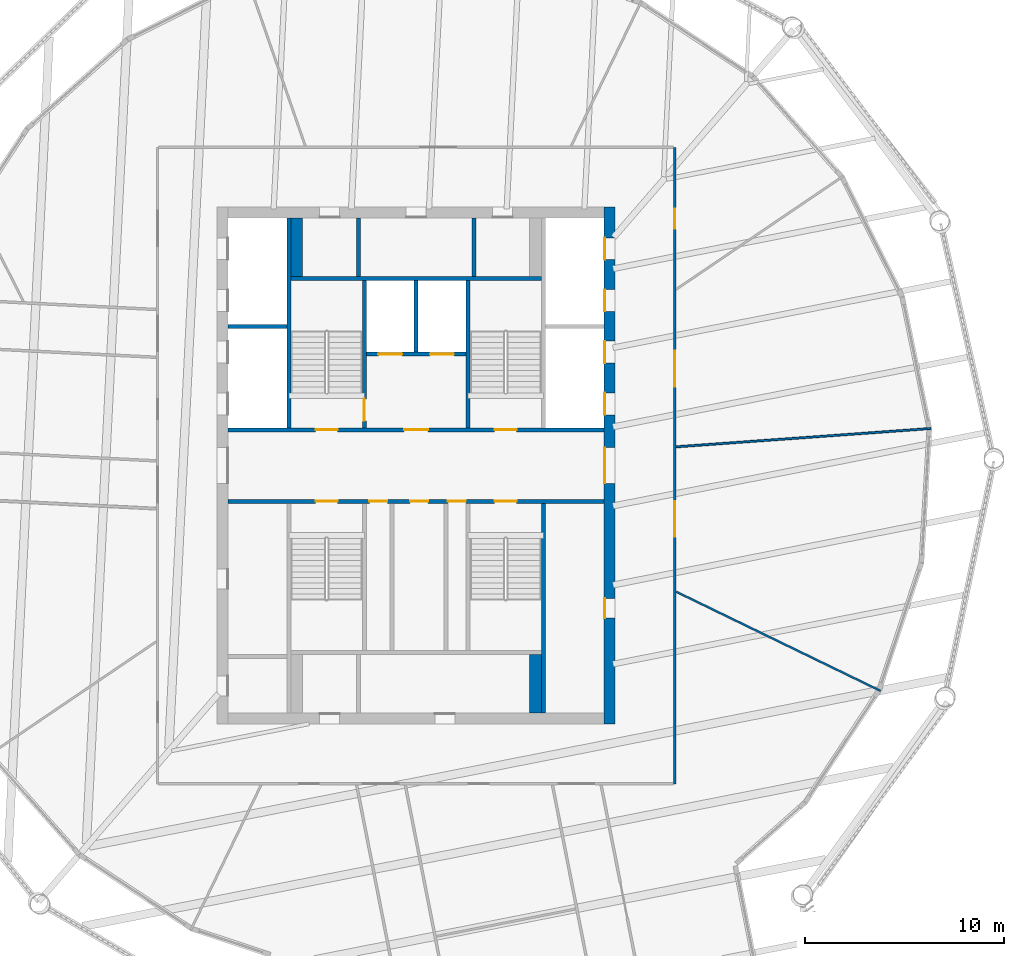
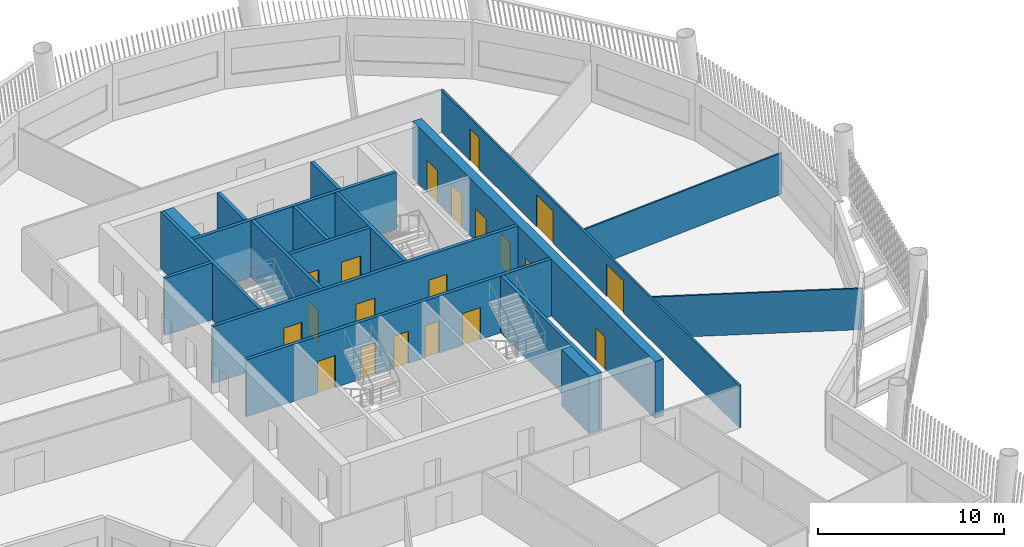
# One storey, part 5 of 14: 20 doors, 18 walls, 20 openings.
"""IFC4 building model written with IfcOpenShell, lengths in metres."""

from ifc_helpers import new_model, si_unit, direction, frame, frame_2d, origin, place, context, subcontext, project, spatial, rectangle, extrude, material, layer, layer_set, type_object, element, fill, save


model = new_model("IFC4")

# Units and contexts
model_context = context("Model", 3, precision=1e-05, world=origin(), true_north=direction((0.0, 1.0)))
body_context = subcontext(model_context, "Body", "Model", "MODEL_VIEW")
ifc_project = project(units=[si_unit("LENGTHUNIT", "METRE"), si_unit("AREAUNIT", "SQUARE_METRE"), si_unit("VOLUMEUNIT", "CUBIC_METRE"), si_unit("PLANEANGLEUNIT", "RADIAN"), si_unit("MASSUNIT", "GRAM", prefix="KILO")], contexts=[model_context])

# Site, building, storey
site_placement = place(None, origin())
site = spatial("IfcSite", under=ifc_project, at=site_placement, CompositionType="ELEMENT")
building_placement = place(site_placement, origin())
building = spatial("IfcBuilding", under=site, at=building_placement, Name="Tarsis Ring Headquarters", CompositionType="ELEMENT")
storey_placement = place(building_placement, frame((0.0, 0.0, 274.699951171875)))
storey = spatial("IfcBuildingStorey", under=building, at=storey_placement, Name="L64", CompositionType="ELEMENT", Elevation=274.699951171875)

# Walls
ifc_material_1 = material(Name="Blockwork", Category="masonry")
ifc_layer_1 = layer(ifc_material_1, 0.199951171875)
ifc_layer_set_1 = layer_set([ifc_layer_1], Name="Core blockwork wall 200")
wall_type_1 = type_object("IfcWallType", Name="Core blockwork wall 200", PredefinedType="PARTITIONING", material=ifc_layer_set_1)
for number, where, z_axis, x_axis, name in (
    (1, (-2.89990234375, 9.5, 0.0), (0.0, 0.0, 1.0), (0.0, 1.0, 0.0), "Core partition ND1"),
    (2, (2.89990234375, 9.5, 0.0), (0.0, 0.0, 1.0), (0.0, 1.0, 0.0), "Core partition ND3"),
):
    element("IfcWall", number, at=place(storey_placement, frame(where, z_axis=z_axis, x_axis=x_axis)), inside=storey, type_object=wall_type_1, Name=name, PredefinedType="PARTITIONING", context=body_context, shape_type="SweptSolid", body=[
        extrude(rectangle(XDim=2.949951171875, YDim=0.199951171875, at=frame_2d((1.47509765625, 0.0))), origin(), (0.0, 0.0, 1.0), 3.739990234375),
    ])

# Wall, openings, doors
ifc_material_2 = material(Name="Concrete C50/60", Category="concrete")
ifc_layer_2 = layer(ifc_material_2, 0.550048828125)
ifc_layer_set_2 = layer_set([ifc_layer_2], Name="Core wall 550 C50/60")
wall_type_2 = type_object("IfcWallType", Name="Core wall 550 C50/60", PredefinedType="SHEAR", material=ifc_layer_set_2)
wall_1_placement = place(storey_placement, frame((9.72509765625, -13.0, 0.0), z_axis=(0.0, 0.0, 1.0), x_axis=(0.0, 1.0, 0.0)))
wall_1 = element("IfcWall", 3, at=wall_1_placement, inside=storey, type_object=wall_type_2, Name="Core wall OE", PredefinedType="SHEAR", context=body_context, shape_type="SweptSolid", body=[
    extrude(rectangle(XDim=26.0, YDim=0.550048828125, at=frame_2d((13.0, 0.0))), origin(), (0.0, 0.0, 1.0), 3.739990234375),
])
opening_1_placement = place(wall_1_placement, frame((5.324951171875, 0.0, 0.0)))
opening_1 = element("IfcOpeningElement", 4, at=opening_1_placement, cuts=wall_1, Name="Opening L64-C08", PredefinedType="OPENING", context=body_context, shape_type="SweptSolid", body=[
    extrude(rectangle(XDim=1.0, YDim=2.10009765625, at=frame_2d((0.5, 1.050048828125))), frame((0.0, 0.284912109375, 0.0), z_axis=(0.0, -1.0, 0.0), x_axis=(1.0, 0.0, 0.0)), (0.0, 0.0, 1.0), 0.570068359375),
])
opening_2_placement = place(wall_1_placement, frame((12.10009765625, 0.0, 0.0)))
opening_2 = element("IfcOpeningElement", 5, at=opening_2_placement, cuts=wall_1, Name="Opening L64-C09", PredefinedType="OPENING", context=body_context, shape_type="SweptSolid", body=[
    extrude(rectangle(XDim=1.800048828125, YDim=2.10009765625, at=frame_2d((0.89990234375, 1.050048828125))), frame((0.0, 0.284912109375, 0.0), z_axis=(0.0, -1.0, 0.0), x_axis=(1.0, 0.0, 0.0)), (0.0, 0.0, 1.0), 0.570068359375),
])
opening_3_placement = place(wall_1_placement, frame((15.550048828125, 0.0, 0.0)))
opening_3 = element("IfcOpeningElement", 6, at=opening_3_placement, cuts=wall_1, Name="Opening LD-HR5", PredefinedType="OPENING", context=body_context, shape_type="SweptSolid", body=[
    extrude(rectangle(XDim=1.10009765625, YDim=2.10009765625, at=frame_2d((0.550048828125, 1.050048828125))), frame((0.0, 0.284912109375, 0.0), z_axis=(0.0, -1.0, 0.0), x_axis=(1.0, 0.0, 0.0)), (0.0, 0.0, 1.0), 0.570068359375),
])
opening_4_placement = place(wall_1_placement, frame((18.14990234375, 0.0, 0.0)))
opening_4 = element("IfcOpeningElement", 7, at=opening_4_placement, cuts=wall_1, Name="Opening LD-HR6", PredefinedType="OPENING", context=body_context, shape_type="SweptSolid", body=[
    extrude(rectangle(XDim=1.10009765625, YDim=2.10009765625, at=frame_2d((0.550048828125, 1.050048828125))), frame((0.0, 0.284912109375, 0.0), z_axis=(0.0, -1.0, 0.0), x_axis=(1.0, 0.0, 0.0)), (0.0, 0.0, 1.0), 0.570068359375),
])
opening_5_placement = place(wall_1_placement, frame((20.75, 0.0, 0.0)))
opening_5 = element("IfcOpeningElement", 8, at=opening_5_placement, cuts=wall_1, Name="Opening LD-HR7", PredefinedType="OPENING", context=body_context, shape_type="SweptSolid", body=[
    extrude(rectangle(XDim=1.10009765625, YDim=2.10009765625, at=frame_2d((0.550048828125, 1.050048828125))), frame((0.0, 0.284912109375, 0.0), z_axis=(0.0, -1.0, 0.0), x_axis=(1.0, 0.0, 0.0)), (0.0, 0.0, 1.0), 0.570068359375),
])
opening_6_placement = place(wall_1_placement, frame((23.35009765625, 0.0, 0.0)))
opening_6 = element("IfcOpeningElement", 9, at=opening_6_placement, cuts=wall_1, Name="Opening LD-HR8", PredefinedType="OPENING", context=body_context, shape_type="SweptSolid", body=[
    extrude(rectangle(XDim=1.10009765625, YDim=2.10009765625, at=frame_2d((0.550048828125, 1.050048828125))), frame((0.0, 0.284912109375, 0.0), z_axis=(0.0, -1.0, 0.0), x_axis=(1.0, 0.0, 0.0)), (0.0, 0.0, 1.0), 0.570068359375),
])
ifc_material_3 = material(Name="Steel S355", Category="steel")
door_type_1 = type_object("IfcDoorType", Name="Core entry door 1800x2100", OperationType="DOUBLE_DOOR_SINGLE_SWING", PredefinedType="DOOR", material=ifc_material_3)
door_1_placement = place(opening_2_placement, origin())
door_1 = element("IfcDoor", 10, at=door_1_placement, inside=storey, type_object=door_type_1, Name="Core entry door L64", OperationType="DOUBLE_DOOR_SINGLE_SWING", OverallHeight=2.10009765625, OverallWidth=1.800048828125, PredefinedType="DOOR", context=body_context, shape_type="SweptSolid", body=[
    extrude(rectangle(XDim=1.800048828125, YDim=2.10009765625, at=frame_2d((0.89990234375, 1.050048828125))), frame((0.0, 0.27490234375, 0.0), z_axis=(0.0, -1.0, 0.0), x_axis=(1.0, 0.0, 0.0)), (0.0, 0.0, 1.0), 0.050048828125),
])
fill(opening_2, door_1)
door_type_2 = type_object("IfcDoorType", Name="Core room door 1000x2100", OperationType="SINGLE_SWING_LEFT", PredefinedType="DOOR", material=ifc_material_3)
door_2_placement = place(opening_1_placement, origin())
door_2 = element("IfcDoor", 11, at=door_2_placement, inside=storey, type_object=door_type_2, Name="Core room door L64", OperationType="SINGLE_SWING_LEFT", OverallHeight=2.10009765625, OverallWidth=1.0, PredefinedType="DOOR", context=body_context, shape_type="SweptSolid", body=[
    extrude(rectangle(XDim=1.0, YDim=2.10009765625, at=frame_2d((0.5, 1.050048828125))), frame((0.0, 0.27490234375, 0.0), z_axis=(0.0, -1.0, 0.0), x_axis=(1.0, 0.0, 0.0)), (0.0, 0.0, 1.0), 0.050048828125),
])
fill(opening_1, door_2)
door_type_3 = type_object("IfcDoorType", Name="Landing door 1100x2100", OperationType="SLIDING_TO_LEFT", PredefinedType="DOOR", material=ifc_material_3)
door_3_placement = place(opening_3_placement, origin())
door_3 = element("IfcDoor", 12, at=door_3_placement, inside=storey, type_object=door_type_3, Name="Landing door HR5 L64", OperationType="SLIDING_TO_LEFT", OverallHeight=2.10009765625, OverallWidth=1.10009765625, PredefinedType="DOOR", context=body_context, shape_type="SweptSolid", body=[
    extrude(rectangle(XDim=1.10009765625, YDim=2.10009765625, at=frame_2d((0.550048828125, 1.050048828125))), frame((0.0, 0.27490234375, 0.0), z_axis=(0.0, -1.0, 0.0), x_axis=(1.0, 0.0, 0.0)), (0.0, 0.0, 1.0), 0.050048828125),
])
fill(opening_3, door_3)
door_4_placement = place(opening_4_placement, origin())
door_4 = element("IfcDoor", 13, at=door_4_placement, inside=storey, type_object=door_type_3, Name="Landing door HR6 L64", OperationType="SLIDING_TO_LEFT", OverallHeight=2.10009765625, OverallWidth=1.10009765625, PredefinedType="DOOR", context=body_context, shape_type="SweptSolid", body=[
    extrude(rectangle(XDim=1.10009765625, YDim=2.10009765625, at=frame_2d((0.550048828125, 1.050048828125))), frame((0.0, 0.27490234375, 0.0), z_axis=(0.0, -1.0, 0.0), x_axis=(1.0, 0.0, 0.0)), (0.0, 0.0, 1.0), 0.050048828125),
])
fill(opening_4, door_4)
door_5_placement = place(opening_5_placement, origin())
door_5 = element("IfcDoor", 14, at=door_5_placement, inside=storey, type_object=door_type_3, Name="Landing door HR7 L64", OperationType="SLIDING_TO_LEFT", OverallHeight=2.10009765625, OverallWidth=1.10009765625, PredefinedType="DOOR", context=body_context, shape_type="SweptSolid", body=[
    extrude(rectangle(XDim=1.10009765625, YDim=2.10009765625, at=frame_2d((0.550048828125, 1.050048828125))), frame((0.0, 0.27490234375, 0.0), z_axis=(0.0, -1.0, 0.0), x_axis=(1.0, 0.0, 0.0)), (0.0, 0.0, 1.0), 0.050048828125),
])
fill(opening_5, door_5)
door_6_placement = place(opening_6_placement, origin())
door_6 = element("IfcDoor", 15, at=door_6_placement, inside=storey, type_object=door_type_3, Name="Landing door HR8 L64", OperationType="SLIDING_TO_LEFT", OverallHeight=2.10009765625, OverallWidth=1.10009765625, PredefinedType="DOOR", context=body_context, shape_type="SweptSolid", body=[
    extrude(rectangle(XDim=1.10009765625, YDim=2.10009765625, at=frame_2d((0.550048828125, 1.050048828125))), frame((0.0, 0.27490234375, 0.0), z_axis=(0.0, -1.0, 0.0), x_axis=(1.0, 0.0, 0.0)), (0.0, 0.0, 1.0), 0.050048828125),
])
fill(opening_6, door_6)

# Walls
ifc_material_4 = material(Name="Gypsum board on steel studs", Category="steel")
ifc_layer_3 = layer(ifc_material_4, 0.10009765625)
ifc_layer_set_3 = layer_set([ifc_layer_3], Name="FL partition 100 unrated")
wall_type_3 = type_object("IfcWallType", Name="FL partition 100 unrated", PredefinedType="PARTITIONING", material=ifc_layer_set_3)
wall_2_placement = place(storey_placement, frame((13.06982421875, 0.94140625, 0.0), z_axis=(0.0, 0.0, 1.0), x_axis=(0.997415484994, 0.071849497528, 0.0)))
element("IfcWall", 16, at=wall_2_placement, inside=storey, type_object=wall_type_3, Name="Partition PW3", PredefinedType="PARTITIONING", context=body_context, shape_type="SweptSolid", body=[
    extrude(rectangle(XDim=12.84423828125, YDim=0.10009765625, at=frame_2d((6.422119140625, 0.0))), origin(), (0.0, 0.0, 1.0), 2.699951171875),
])
wall_3_placement = place(storey_placement, frame((13.072021484375, -6.341796875, 0.0), z_axis=(0.0, 0.0, 1.0), x_axis=(0.89970852754, -0.436491197474, 0.0)))
element("IfcWall", 17, at=wall_3_placement, inside=storey, type_object=wall_type_3, Name="Partition PW3", PredefinedType="PARTITIONING", context=body_context, shape_type="SweptSolid", body=[
    extrude(rectangle(XDim=11.418701171875, YDim=0.10009765625, at=frame_2d((5.70947265625, 0.0))), origin(), (0.0, 0.0, 1.0), 2.699951171875),
])

# Wall, openings, doors
ifc_layer_4 = layer(ifc_material_4, 0.125)
ifc_layer_set_4 = layer_set([ifc_layer_4], Name="FL partition 125 EI 60 H2770")
wall_type_4 = type_object("IfcWallType", Name="FL partition 125 EI 60 H2770", PredefinedType="PARTITIONING", material=ifc_layer_set_4)
wall_4_placement = place(storey_placement, frame((13.0, -16.0, 0.0), z_axis=(0.0, 0.0, 1.0), x_axis=(0.0, 1.0, 0.0)))
wall_4 = element("IfcWall", 18, at=wall_4_placement, inside=storey, type_object=wall_type_4, Name="Partition PW1", PredefinedType="PARTITIONING", context=body_context, shape_type="SweptSolid", body=[
    extrude(rectangle(XDim=32.0, YDim=0.125, at=frame_2d((16.0, 0.0))), origin(), (0.0, 0.0, 1.0), 2.77001953125),
])
opening_7_placement = place(wall_4_placement, frame((27.904052734375, 0.0, 0.0)))
opening_7 = element("IfcOpeningElement", 19, at=opening_7_placement, cuts=wall_4, Name="Opening D64.05", PredefinedType="OPENING", context=body_context, shape_type="SweptSolid", body=[
    extrude(rectangle(XDim=1.0, YDim=2.10009765625, at=frame_2d((0.5, 1.050048828125))), frame((0.0, 0.072509765625, 0.0), z_axis=(0.0, -1.0, 0.0), x_axis=(1.0, 0.0, 0.0)), (0.0, 0.0, 1.0), 0.14501953125),
])
opening_8_placement = place(wall_4_placement, frame((19.972412109375, 0.0, 0.0)))
opening_8 = element("IfcOpeningElement", 20, at=opening_8_placement, cuts=wall_4, Name="Opening D64.06", PredefinedType="OPENING", context=body_context, shape_type="SweptSolid", body=[
    extrude(rectangle(XDim=1.800048828125, YDim=2.10009765625, at=frame_2d((0.89990234375, 1.050048828125))), frame((0.0, 0.072509765625, 0.0), z_axis=(0.0, -1.0, 0.0), x_axis=(1.0, 0.0, 0.0)), (0.0, 0.0, 1.0), 0.14501953125),
])
opening_9_placement = place(wall_4_placement, frame((12.414794921875, 0.0, 0.0)))
opening_9 = element("IfcOpeningElement", 21, at=opening_9_placement, cuts=wall_4, Name="Opening D64.07", PredefinedType="OPENING", context=body_context, shape_type="SweptSolid", body=[
    extrude(rectangle(XDim=1.800048828125, YDim=2.10009765625, at=frame_2d((0.89990234375, 1.050048828125))), frame((0.0, 0.072509765625, 0.0), z_axis=(0.0, -1.0, 0.0), x_axis=(1.0, 0.0, 0.0)), (0.0, 0.0, 1.0), 0.14501953125),
])
ifc_material_5 = material(Name="Fire-rated timber door leaf in steel frame", Category="steel")
door_type_4 = type_object("IfcDoorType", Name="FL door FD60-1000", OperationType="NOTDEFINED", PredefinedType="DOOR", material=ifc_material_5)
door_7_placement = place(opening_7_placement, origin())
door_7 = element("IfcDoor", 22, at=door_7_placement, inside=storey, type_object=door_type_4, Name="Door D64.05", OperationType="SINGLE_SWING_LEFT", OverallHeight=2.10009765625, OverallWidth=1.0, PredefinedType="DOOR", context=body_context, shape_type="SweptSolid", body=[
    extrude(rectangle(XDim=1.0, YDim=2.10009765625, at=frame_2d((0.5, 1.050048828125))), frame((0.0, 0.02490234375, 0.0), z_axis=(0.0, -1.0, 0.0), x_axis=(1.0, 0.0, 0.0)), (0.0, 0.0, 1.0), 0.050048828125),
])
fill(opening_7, door_7)
door_type_5 = type_object("IfcDoorType", Name="FL door FD60-1800", OperationType="DOUBLE_DOOR_SINGLE_SWING", PredefinedType="DOOR", material=ifc_material_5)
door_8_placement = place(opening_8_placement, origin())
door_8 = element("IfcDoor", 23, at=door_8_placement, inside=storey, type_object=door_type_5, Name="Door D64.06", OperationType="DOUBLE_DOOR_SINGLE_SWING", OverallHeight=2.10009765625, OverallWidth=1.800048828125, PredefinedType="DOOR", context=body_context, shape_type="SweptSolid", body=[
    extrude(rectangle(XDim=1.800048828125, YDim=2.10009765625, at=frame_2d((0.89990234375, 1.050048828125))), frame((0.0, 0.02490234375, 0.0), z_axis=(0.0, -1.0, 0.0), x_axis=(1.0, 0.0, 0.0)), (0.0, 0.0, 1.0), 0.050048828125),
])
fill(opening_8, door_8)
door_9_placement = place(opening_9_placement, origin())
door_9 = element("IfcDoor", 24, at=door_9_placement, inside=storey, type_object=door_type_5, Name="Door D64.07", OperationType="DOUBLE_DOOR_SINGLE_SWING", OverallHeight=2.10009765625, OverallWidth=1.800048828125, PredefinedType="DOOR", context=body_context, shape_type="SweptSolid", body=[
    extrude(rectangle(XDim=1.800048828125, YDim=2.10009765625, at=frame_2d((0.89990234375, 1.050048828125))), frame((0.0, 0.02490234375, 0.0), z_axis=(0.0, -1.0, 0.0), x_axis=(1.0, 0.0, 0.0)), (0.0, 0.0, 1.0), 0.050048828125),
])
fill(opening_9, door_9)

# Walls
ifc_material_6 = material(Name="Concrete C32/40", Category="concrete")
ifc_layer_5 = layer(ifc_material_6, 0.60009765625)
ifc_layer_set_5 = layer_set([ifc_layer_5], Name="Shaft end wall 600 C32/40")
wall_type_5 = type_object("IfcWallType", Name="Shaft end wall 600 C32/40", PredefinedType="SOLIDWALL", material=ifc_layer_set_5)
for number, where, z_axis, x_axis, name in (
    (25, (-6.0, 9.5, 0.0), (0.0, 0.0, 1.0), (0.0, 1.0, 0.0), "Core shaft wall NNE1"),
    (26, (6.0, -12.449951171875, 0.0), (0.0, 0.0, 1.0), (0.0, 1.0, 0.0), "Core shaft wall SNE2"),
):
    element("IfcWall", number, at=place(storey_placement, frame(where, z_axis=z_axis, x_axis=x_axis)), inside=storey, type_object=wall_type_5, Name=name, PredefinedType="SOLIDWALL", context=body_context, shape_type="SweptSolid", body=[
        extrude(rectangle(XDim=2.949951171875, YDim=0.60009765625, at=frame_2d((1.47509765625, 0.0))), origin(), (0.0, 0.0, 1.0), 3.739990234375),
    ])

# Wall, openings, doors
ifc_layer_6 = layer(ifc_material_6, 0.199951171875)
ifc_layer_set_6 = layer_set([ifc_layer_6], Name="Shaft wall 200 C32/40")
wall_type_6 = type_object("IfcWallType", Name="Shaft wall 200 C32/40", PredefinedType="SOLIDWALL", material=ifc_layer_set_6)
wall_5_placement = place(storey_placement, frame((-9.449951171875, 1.800048828125, 0.0), z_axis=(0.0, 0.0, 1.0), x_axis=(1.0, 0.0, 0.0)))
wall_5 = element("IfcWall", 27, at=wall_5_placement, inside=storey, type_object=wall_type_6, Name="Core shaft wall CN", PredefinedType="SOLIDWALL", context=body_context, shape_type="SweptSolid", body=[
    extrude(rectangle(XDim=18.89990234375, YDim=0.199951171875, at=frame_2d((9.449951171875, 0.0))), origin(), (0.0, 0.0, 1.0), 3.739990234375),
])
opening_10_placement = place(wall_5_placement, frame((4.39990234375, 0.0, 0.0)))
opening_10 = element("IfcOpeningElement", 28, at=opening_10_placement, cuts=wall_5, Name="Opening L64-C19", PredefinedType="OPENING", context=body_context, shape_type="SweptSolid", body=[
    extrude(rectangle(XDim=1.10009765625, YDim=2.10009765625, at=frame_2d((0.550048828125, 1.050048828125))), frame((0.0, 0.10986328125, 0.0), z_axis=(0.0, -1.0, 0.0), x_axis=(1.0, 0.0, 0.0)), (0.0, 0.0, 1.0), 0.219970703125),
])
opening_11_placement = place(wall_5_placement, frame((8.85009765625, 0.0, 0.0)))
opening_11 = element("IfcOpeningElement", 29, at=opening_11_placement, cuts=wall_5, Name="Opening L64-C20", PredefinedType="OPENING", context=body_context, shape_type="SweptSolid", body=[
    extrude(rectangle(XDim=1.199951171875, YDim=2.10009765625, at=frame_2d((0.60009765625, 1.050048828125))), frame((0.0, 0.10986328125, 0.0), z_axis=(0.0, -1.0, 0.0), x_axis=(1.0, 0.0, 0.0)), (0.0, 0.0, 1.0), 0.219970703125),
])
opening_12_placement = place(wall_5_placement, frame((13.39990234375, 0.0, 0.0)))
opening_12 = element("IfcOpeningElement", 30, at=opening_12_placement, cuts=wall_5, Name="Opening L64-C21", PredefinedType="OPENING", context=body_context, shape_type="SweptSolid", body=[
    extrude(rectangle(XDim=1.10009765625, YDim=2.10009765625, at=frame_2d((0.550048828125, 1.050048828125))), frame((0.0, 0.10986328125, 0.0), z_axis=(0.0, -1.0, 0.0), x_axis=(1.0, 0.0, 0.0)), (0.0, 0.0, 1.0), 0.219970703125),
])
door_type_6 = type_object("IfcDoorType", Name="Firefighting lobby door 1200x2100", OperationType="DOUBLE_DOOR_SINGLE_SWING", PredefinedType="DOOR", material=ifc_material_3)
door_10_placement = place(opening_11_placement, origin())
door_10 = element("IfcDoor", 31, at=door_10_placement, inside=storey, type_object=door_type_6, Name="Firefighting lobby door L64", OperationType="DOUBLE_DOOR_SINGLE_SWING", OverallHeight=2.10009765625, OverallWidth=1.199951171875, PredefinedType="DOOR", context=body_context, shape_type="SweptSolid", body=[
    extrude(rectangle(XDim=1.199951171875, YDim=2.10009765625, at=frame_2d((0.60009765625, 1.050048828125))), frame((0.0, 0.02490234375, 0.0), z_axis=(0.0, -1.0, 0.0), x_axis=(1.0, 0.0, 0.0)), (0.0, 0.0, 1.0), 0.050048828125),
])
fill(opening_11, door_10)
door_type_7 = type_object("IfcDoorType", Name="Stair door 1100x2100", OperationType="SINGLE_SWING_LEFT", PredefinedType="DOOR", material=ifc_material_3)
door_11_placement = place(opening_10_placement, origin())
door_11 = element("IfcDoor", 32, at=door_11_placement, inside=storey, type_object=door_type_7, Name="Stair door L64", OperationType="SINGLE_SWING_LEFT", OverallHeight=2.10009765625, OverallWidth=1.10009765625, PredefinedType="DOOR", context=body_context, shape_type="SweptSolid", body=[
    extrude(rectangle(XDim=1.10009765625, YDim=2.10009765625, at=frame_2d((0.550048828125, 1.050048828125))), frame((0.0, 0.02490234375, 0.0), z_axis=(0.0, -1.0, 0.0), x_axis=(1.0, 0.0, 0.0)), (0.0, 0.0, 1.0), 0.050048828125),
])
fill(opening_10, door_11)
door_12_placement = place(opening_12_placement, origin())
door_12 = element("IfcDoor", 33, at=door_12_placement, inside=storey, type_object=door_type_7, Name="Stair door L64", OperationType="SINGLE_SWING_LEFT", OverallHeight=2.10009765625, OverallWidth=1.10009765625, PredefinedType="DOOR", context=body_context, shape_type="SweptSolid", body=[
    extrude(rectangle(XDim=1.10009765625, YDim=2.10009765625, at=frame_2d((0.550048828125, 1.050048828125))), frame((0.0, 0.02490234375, 0.0), z_axis=(0.0, -1.0, 0.0), x_axis=(1.0, 0.0, 0.0)), (0.0, 0.0, 1.0), 0.050048828125),
])
fill(opening_12, door_12)

wall_6_placement = place(storey_placement, frame((-9.449951171875, -1.800048828125, 0.0), z_axis=(0.0, 0.0, 1.0), x_axis=(1.0, 0.0, 0.0)))
wall_6 = element("IfcWall", 34, at=wall_6_placement, inside=storey, type_object=wall_type_6, Name="Core shaft wall CS", PredefinedType="SOLIDWALL", context=body_context, shape_type="SweptSolid", body=[
    extrude(rectangle(XDim=18.89990234375, YDim=0.199951171875, at=frame_2d((9.449951171875, 0.0))), origin(), (0.0, 0.0, 1.0), 3.739990234375),
])
opening_13_placement = place(wall_6_placement, frame((4.39990234375, 0.0, 0.0)))
opening_13 = element("IfcOpeningElement", 35, at=opening_13_placement, cuts=wall_6, Name="Opening L64-C22", PredefinedType="OPENING", context=body_context, shape_type="SweptSolid", body=[
    extrude(rectangle(XDim=1.10009765625, YDim=2.10009765625, at=frame_2d((0.550048828125, 1.050048828125))), frame((0.0, 0.10986328125, 0.0), z_axis=(0.0, -1.0, 0.0), x_axis=(1.0, 0.0, 0.0)), (0.0, 0.0, 1.0), 0.219970703125),
])
opening_14_placement = place(wall_6_placement, frame((7.10009765625, 0.0, 0.0)))
opening_14 = element("IfcOpeningElement", 36, at=opening_14_placement, cuts=wall_6, Name="Opening L64-C23", PredefinedType="OPENING", context=body_context, shape_type="SweptSolid", body=[
    extrude(rectangle(XDim=0.89990234375, YDim=2.10009765625, at=frame_2d((0.449951171875, 1.050048828125))), frame((0.0, 0.10986328125, 0.0), z_axis=(0.0, -1.0, 0.0), x_axis=(1.0, 0.0, 0.0)), (0.0, 0.0, 1.0), 0.219970703125),
])
opening_15_placement = place(wall_6_placement, frame((9.14990234375, 0.0, 0.0)))
opening_15 = element("IfcOpeningElement", 37, at=opening_15_placement, cuts=wall_6, Name="Opening L64-C24", PredefinedType="OPENING", context=body_context, shape_type="SweptSolid", body=[
    extrude(rectangle(XDim=0.89990234375, YDim=2.10009765625, at=frame_2d((0.449951171875, 1.050048828125))), frame((0.0, 0.10986328125, 0.0), z_axis=(0.0, -1.0, 0.0), x_axis=(1.0, 0.0, 0.0)), (0.0, 0.0, 1.0), 0.219970703125),
])
opening_16_placement = place(wall_6_placement, frame((11.050048828125, 0.0, 0.0)))
opening_16 = element("IfcOpeningElement", 38, at=opening_16_placement, cuts=wall_6, Name="Opening L64-C25", PredefinedType="OPENING", context=body_context, shape_type="SweptSolid", body=[
    extrude(rectangle(XDim=0.89990234375, YDim=2.10009765625, at=frame_2d((0.449951171875, 1.050048828125))), frame((0.0, 0.10986328125, 0.0), z_axis=(0.0, -1.0, 0.0), x_axis=(1.0, 0.0, 0.0)), (0.0, 0.0, 1.0), 0.219970703125),
])
opening_17_placement = place(wall_6_placement, frame((13.39990234375, 0.0, 0.0)))
opening_17 = element("IfcOpeningElement", 39, at=opening_17_placement, cuts=wall_6, Name="Opening L64-C26", PredefinedType="OPENING", context=body_context, shape_type="SweptSolid", body=[
    extrude(rectangle(XDim=1.10009765625, YDim=2.10009765625, at=frame_2d((0.550048828125, 1.050048828125))), frame((0.0, 0.10986328125, 0.0), z_axis=(0.0, -1.0, 0.0), x_axis=(1.0, 0.0, 0.0)), (0.0, 0.0, 1.0), 0.219970703125),
])
door_13_placement = place(opening_13_placement, origin())
door_13 = element("IfcDoor", 40, at=door_13_placement, inside=storey, type_object=door_type_7, Name="Stair door L64", OperationType="SINGLE_SWING_LEFT", OverallHeight=2.10009765625, OverallWidth=1.10009765625, PredefinedType="DOOR", context=body_context, shape_type="SweptSolid", body=[
    extrude(rectangle(XDim=1.10009765625, YDim=2.10009765625, at=frame_2d((0.550048828125, 1.050048828125))), frame((0.0, 0.02490234375, 0.0), z_axis=(0.0, -1.0, 0.0), x_axis=(1.0, 0.0, 0.0)), (0.0, 0.0, 1.0), 0.050048828125),
])
fill(opening_13, door_13)
door_14_placement = place(opening_17_placement, origin())
door_14 = element("IfcDoor", 41, at=door_14_placement, inside=storey, type_object=door_type_7, Name="Stair door L64", OperationType="SINGLE_SWING_LEFT", OverallHeight=2.10009765625, OverallWidth=1.10009765625, PredefinedType="DOOR", context=body_context, shape_type="SweptSolid", body=[
    extrude(rectangle(XDim=1.10009765625, YDim=2.10009765625, at=frame_2d((0.550048828125, 1.050048828125))), frame((0.0, 0.02490234375, 0.0), z_axis=(0.0, -1.0, 0.0), x_axis=(1.0, 0.0, 0.0)), (0.0, 0.0, 1.0), 0.050048828125),
])
fill(opening_17, door_14)
door_type_8 = type_object("IfcDoorType", Name="WC door 900x2100", OperationType="SINGLE_SWING_LEFT", PredefinedType="DOOR", material=ifc_material_3)
door_15_placement = place(opening_14_placement, origin())
door_15 = element("IfcDoor", 42, at=door_15_placement, inside=storey, type_object=door_type_8, Name="WC door L64", OperationType="SINGLE_SWING_LEFT", OverallHeight=2.10009765625, OverallWidth=0.89990234375, PredefinedType="DOOR", context=body_context, shape_type="SweptSolid", body=[
    extrude(rectangle(XDim=0.89990234375, YDim=2.10009765625, at=frame_2d((0.449951171875, 1.050048828125))), frame((0.0, 0.02490234375, 0.0), z_axis=(0.0, -1.0, 0.0), x_axis=(1.0, 0.0, 0.0)), (0.0, 0.0, 1.0), 0.050048828125),
])
fill(opening_14, door_15)
door_16_placement = place(opening_15_placement, origin())
door_16 = element("IfcDoor", 43, at=door_16_placement, inside=storey, type_object=door_type_8, Name="WC door L64", OperationType="SINGLE_SWING_LEFT", OverallHeight=2.10009765625, OverallWidth=0.89990234375, PredefinedType="DOOR", context=body_context, shape_type="SweptSolid", body=[
    extrude(rectangle(XDim=0.89990234375, YDim=2.10009765625, at=frame_2d((0.449951171875, 1.050048828125))), frame((0.0, 0.02490234375, 0.0), z_axis=(0.0, -1.0, 0.0), x_axis=(1.0, 0.0, 0.0)), (0.0, 0.0, 1.0), 0.050048828125),
])
fill(opening_15, door_16)
door_17_placement = place(opening_16_placement, origin())
door_17 = element("IfcDoor", 44, at=door_17_placement, inside=storey, type_object=door_type_8, Name="WC door L64", OperationType="SINGLE_SWING_LEFT", OverallHeight=2.10009765625, OverallWidth=0.89990234375, PredefinedType="DOOR", context=body_context, shape_type="SweptSolid", body=[
    extrude(rectangle(XDim=0.89990234375, YDim=2.10009765625, at=frame_2d((0.449951171875, 1.050048828125))), frame((0.0, 0.02490234375, 0.0), z_axis=(0.0, -1.0, 0.0), x_axis=(1.0, 0.0, 0.0)), (0.0, 0.0, 1.0), 0.050048828125),
])
fill(opening_16, door_17)

# Walls
for number, where, z_axis, x_axis, name in (
    (45, (-6.39990234375, 1.89990234375, 0.0), (0.0, 0.0, 1.0), (0.0, 1.0, 0.0), "Core shaft wall WB2"),
    (46, (6.39990234375, -12.449951171875, 0.0), (0.0, 0.0, 1.0), (0.0, 1.0, 0.0), "Core shaft wall EB1"),
):
    element("IfcWall", number, at=place(storey_placement, frame(where, z_axis=z_axis, x_axis=x_axis)), inside=storey, type_object=wall_type_6, Name=name, PredefinedType="SOLIDWALL", context=body_context, shape_type="SweptSolid", body=[
        extrude(rectangle(XDim=10.550048828125, YDim=0.199951171875, at=frame_2d((5.27490234375, 0.0))), origin(), (0.0, 0.0, 1.0), 3.739990234375),
    ])
wall_7_placement = place(storey_placement, frame((-6.300048828125, 9.39990234375, 0.0), z_axis=(0.0, 0.0, 1.0), x_axis=(1.0, 0.0, 0.0)))
element("IfcWall", 47, at=wall_7_placement, inside=storey, type_object=wall_type_6, Name="Core shaft wall NB", PredefinedType="SOLIDWALL", context=body_context, shape_type="SweptSolid", body=[
    extrude(rectangle(XDim=12.60009765625, YDim=0.199951171875, at=frame_2d((6.300048828125, 0.0))), origin(), (0.0, 0.0, 1.0), 3.739990234375),
])

# Wall, opening, door
wall_8_placement = place(storey_placement, frame((-2.60009765625, 1.89990234375, 0.0), z_axis=(0.0, 0.0, 1.0), x_axis=(0.0, 1.0, 0.0)))
wall_8 = element("IfcWall", 48, at=wall_8_placement, inside=storey, type_object=wall_type_6, Name="Core shaft wall SW1", PredefinedType="SOLIDWALL", context=body_context, shape_type="SweptSolid", body=[
    extrude(rectangle(XDim=7.400146484375, YDim=0.199951171875, at=frame_2d((3.7001953125, 0.0))), origin(), (0.0, 0.0, 1.0), 3.739990234375),
])
opening_18_placement = place(wall_8_placement, frame((0.35009765625, 0.0, 0.0)))
opening_18 = element("IfcOpeningElement", 49, at=opening_18_placement, cuts=wall_8, Name="Opening L64-C27", PredefinedType="OPENING", context=body_context, shape_type="SweptSolid", body=[
    extrude(rectangle(XDim=1.10009765625, YDim=2.10009765625, at=frame_2d((0.550048828125, 1.050048828125))), frame((0.0, 0.10986328125, 0.0), z_axis=(0.0, -1.0, 0.0), x_axis=(1.0, 0.0, 0.0)), (0.0, 0.0, 1.0), 0.219970703125),
])
door_18_placement = place(opening_18_placement, origin())
door_18 = element("IfcDoor", 50, at=door_18_placement, inside=storey, type_object=door_type_7, Name="Stair door L64", OperationType="SINGLE_SWING_LEFT", OverallHeight=2.10009765625, OverallWidth=1.10009765625, PredefinedType="DOOR", context=body_context, shape_type="SweptSolid", body=[
    extrude(rectangle(XDim=1.10009765625, YDim=2.10009765625, at=frame_2d((0.550048828125, 1.050048828125))), frame((0.0, 0.02490234375, 0.0), z_axis=(0.0, -1.0, 0.0), x_axis=(1.0, 0.0, 0.0)), (0.0, 0.0, 1.0), 0.050048828125),
])
fill(opening_18, door_18)

# Wall
wall_9_placement = place(storey_placement, frame((2.60009765625, 1.89990234375, 0.0), z_axis=(0.0, 0.0, 1.0), x_axis=(0.0, 1.0, 0.0)))
element("IfcWall", 51, at=wall_9_placement, inside=storey, type_object=wall_type_6, Name="Core shaft wall SW2", PredefinedType="SOLIDWALL", context=body_context, shape_type="SweptSolid", body=[
    extrude(rectangle(XDim=7.400146484375, YDim=0.199951171875, at=frame_2d((3.7001953125, 0.0))), origin(), (0.0, 0.0, 1.0), 3.739990234375),
])

# Wall, openings, doors
wall_10_placement = place(storey_placement, frame((-2.5, 5.60009765625, 0.0), z_axis=(0.0, 0.0, 1.0), x_axis=(1.0, 0.0, 0.0)))
wall_10 = element("IfcWall", 52, at=wall_10_placement, inside=storey, type_object=wall_type_6, Name="Core shaft wall FFN", PredefinedType="SOLIDWALL", context=body_context, shape_type="SweptSolid", body=[
    extrude(rectangle(XDim=5.0, YDim=0.199951171875, at=frame_2d((2.5, 0.0))), origin(), (0.0, 0.0, 1.0), 3.739990234375),
])
opening_19_placement = place(wall_10_placement, frame((0.60009765625, 0.0, 0.0)))
opening_19 = element("IfcOpeningElement", 53, at=opening_19_placement, cuts=wall_10, Name="Opening LDF-1", PredefinedType="OPENING", context=body_context, shape_type="SweptSolid", body=[
    extrude(rectangle(XDim=1.199951171875, YDim=2.10009765625, at=frame_2d((0.60009765625, 1.050048828125))), frame((0.0, 0.10986328125, 0.0), z_axis=(0.0, -1.0, 0.0), x_axis=(1.0, 0.0, 0.0)), (0.0, 0.0, 1.0), 0.219970703125),
])
opening_20_placement = place(wall_10_placement, frame((3.199951171875, 0.0, 0.0)))
opening_20 = element("IfcOpeningElement", 54, at=opening_20_placement, cuts=wall_10, Name="Opening LDF-2", PredefinedType="OPENING", context=body_context, shape_type="SweptSolid", body=[
    extrude(rectangle(XDim=1.199951171875, YDim=2.10009765625, at=frame_2d((0.60009765625, 1.050048828125))), frame((0.0, 0.10986328125, 0.0), z_axis=(0.0, -1.0, 0.0), x_axis=(1.0, 0.0, 0.0)), (0.0, 0.0, 1.0), 0.219970703125),
])
door_type_9 = type_object("IfcDoorType", Name="Firefighting landing door 1200x2100", OperationType="SLIDING_TO_LEFT", PredefinedType="DOOR", material=ifc_material_3)
door_19_placement = place(opening_19_placement, origin())
door_19 = element("IfcDoor", 55, at=door_19_placement, inside=storey, type_object=door_type_9, Name="Landing door FF1 L64", OperationType="SLIDING_TO_LEFT", OverallHeight=2.10009765625, OverallWidth=1.199951171875, PredefinedType="DOOR", context=body_context, shape_type="SweptSolid", body=[
    extrude(rectangle(XDim=1.199951171875, YDim=2.10009765625, at=frame_2d((0.60009765625, 1.050048828125))), frame((0.0, 0.02490234375, 0.0), z_axis=(0.0, -1.0, 0.0), x_axis=(1.0, 0.0, 0.0)), (0.0, 0.0, 1.0), 0.050048828125),
])
fill(opening_19, door_19)
door_20_placement = place(opening_20_placement, origin())
door_20 = element("IfcDoor", 56, at=door_20_placement, inside=storey, type_object=door_type_9, Name="Landing door FF2 L64", OperationType="SLIDING_TO_LEFT", OverallHeight=2.10009765625, OverallWidth=1.199951171875, PredefinedType="DOOR", context=body_context, shape_type="SweptSolid", body=[
    extrude(rectangle(XDim=1.199951171875, YDim=2.10009765625, at=frame_2d((0.60009765625, 1.050048828125))), frame((0.0, 0.02490234375, 0.0), z_axis=(0.0, -1.0, 0.0), x_axis=(1.0, 0.0, 0.0)), (0.0, 0.0, 1.0), 0.050048828125),
])
fill(opening_20, door_20)

# Walls
wall_11_placement = place(storey_placement, frame((0.0, 5.699951171875, 0.0), z_axis=(0.0, 0.0, 1.0), x_axis=(0.0, 1.0, 0.0)))
element("IfcWall", 57, at=wall_11_placement, inside=storey, type_object=wall_type_6, Name="Core shaft wall FFD", PredefinedType="SOLIDWALL", context=body_context, shape_type="SweptSolid", body=[
    extrude(rectangle(XDim=3.60009765625, YDim=0.199951171875, at=frame_2d((1.800048828125, 0.0))), origin(), (0.0, 0.0, 1.0), 3.739990234375),
])
wall_12_placement = place(storey_placement, frame((-9.449951171875, 7.0, 0.0), z_axis=(0.0, 0.0, 1.0), x_axis=(1.0, 0.0, 0.0)))
element("IfcWall", 58, at=wall_12_placement, inside=storey, type_object=wall_type_6, Name="Core shaft wall WD6", PredefinedType="SOLIDWALL", context=body_context, shape_type="SweptSolid", body=[
    extrude(rectangle(XDim=2.949951171875, YDim=0.199951171875, at=frame_2d((1.47509765625, 0.0))), origin(), (0.0, 0.0, 1.0), 3.739990234375),
])

save(model, "model.ifc")
